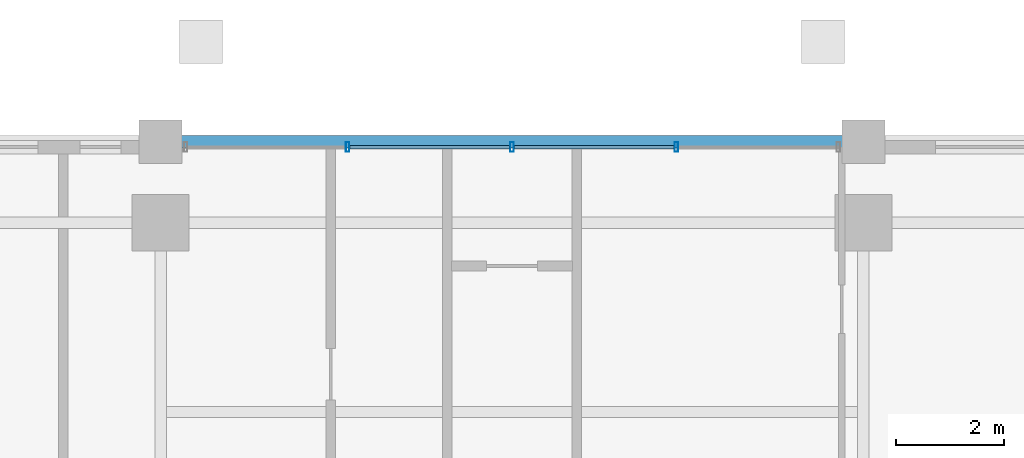
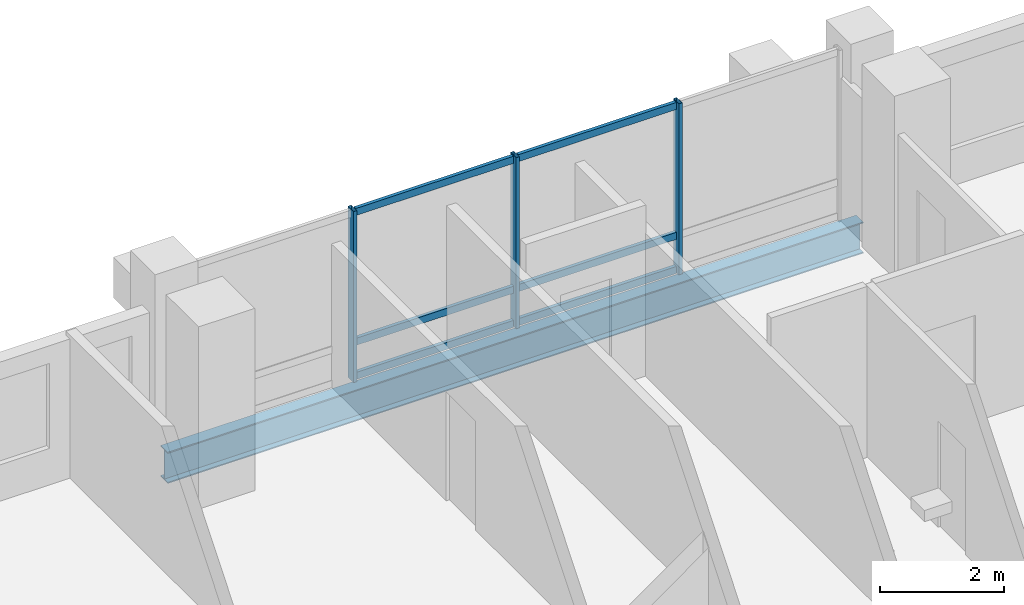
# One storey, part 15 of 24: 9 members, 1 beam, 1 element without a shape of its own.
"""IFC4 building model written with IfcOpenShell, lengths in metres."""

from ifc_helpers import new_model, si_unit, direction, frame, origin, origin_2d, place, context, subcontext, project, spatial, hollow_rectangle, i_section, extrude, material, layer, layer_set, material_profile, profile_set, type_object, element, aggregate, save


model = new_model("IFC4")

# Units and contexts
model_context = context("Model", 3, precision=1e-05, world=origin(), true_north=direction((0.0, 1.0)))
body_context = subcontext(model_context, "Body", "Model", "MODEL_VIEW")
ifc_project = project(units=[si_unit("LENGTHUNIT", "METRE"), si_unit("AREAUNIT", "SQUARE_METRE"), si_unit("VOLUMEUNIT", "CUBIC_METRE"), si_unit("PLANEANGLEUNIT", "RADIAN"), si_unit("MASSUNIT", "GRAM", prefix="KILO")], contexts=[model_context])

# Site, building, storey
site_placement = place(None, origin())
site = spatial("IfcSite", under=ifc_project, at=site_placement, CompositionType="ELEMENT")
building_placement = place(site_placement, origin())
building = spatial("IfcBuilding", under=site, at=building_placement, Name="Barlavira Tower and Art Museum", CompositionType="ELEMENT")
storey_placement = place(building_placement, frame((0.0, 0.0, 180.0)))
storey = spatial("IfcBuildingStorey", under=building, at=storey_placement, Name="L46", CompositionType="ELEMENT", Elevation=180.0)

# Curtain wall, members
ifc_material_1 = material(Name="Low-iron coastal laminated glass", Category="glass")
ifc_layer = layer(ifc_material_1, 0.199951171875, Name="Low-iron coastal laminated glass")
ifc_layer_set = layer_set([ifc_layer], Name="Low-iron coastal laminated glass")
curtain_wall_type = type_object("IfcCurtainWallType", Name="Pale-Metal Unitised Curtain Wall Zone 3", PredefinedType="NOTDEFINED", material=ifc_layer_set)
curtain_wall_placement = place(storey_placement, origin())
curtain_wall = element("IfcCurtainWall", 1, at=curtain_wall_placement, inside=storey, type_object=curtain_wall_type, Name="L46 Curtain Wall CW3-L46-N-B3", PredefinedType="NOTDEFINED")
ifc_material_2 = material(Name="Pale anodised aluminium", Category="aluminium")
ifc_material_profile_1 = material_profile(ifc_material_2, hollow_rectangle(XDim=0.06494140625, YDim=0.179931640625, WallThickness=0.00390625, at=origin_2d()), Name="ALU-MULL 65x180x4")
ifc_profile_set_1 = profile_set([ifc_material_profile_1], Name="Pale anodised aluminium")
member_type_1 = type_object("IfcMemberType", Name="Curtain Wall Pale-Metal Mullion 65x180", PredefinedType="MULLION", material=ifc_profile_set_1)
member_1_placement = place(storey_placement, frame((3.0400390625, 21.39990234375, 0.0), z_axis=(0.0, 0.0, 1.0), x_axis=(-1.0, 0.0, 0.0)))
member_1 = element("IfcMember", 2, at=member_1_placement, type_object=member_type_1, Name="CW3-L46-N-B3 Mullion 1", PredefinedType="MULLION", context=body_context, shape_type="SweptSolid", body=[
    extrude(hollow_rectangle(XDim=0.06494140625, YDim=0.179931640625, WallThickness=0.00390625, at=origin_2d()), origin(), (0.0, 0.0, 1.0), 3.3798828125),
])
member_2_placement = place(storey_placement, frame((0.0, 21.39990234375, 0.0), z_axis=(0.0, 0.0, 1.0), x_axis=(-1.0, 0.0, 0.0)))
member_2 = element("IfcMember", 3, at=member_2_placement, type_object=member_type_1, Name="CW3-L46-N-B3 Mullion 2", PredefinedType="MULLION", context=body_context, shape_type="SweptSolid", body=[
    extrude(hollow_rectangle(XDim=0.06494140625, YDim=0.179931640625, WallThickness=0.00390625, at=origin_2d()), origin(), (0.0, 0.0, 1.0), 3.3798828125),
])
member_3_placement = place(storey_placement, frame((-3.0400390625, 21.39990234375, 0.0), z_axis=(0.0, 0.0, 1.0), x_axis=(-1.0, 0.0, 0.0)))
member_3 = element("IfcMember", 4, at=member_3_placement, type_object=member_type_1, Name="CW3-L46-N-B3 Mullion 3", PredefinedType="MULLION", context=body_context, shape_type="SweptSolid", body=[
    extrude(hollow_rectangle(XDim=0.06494140625, YDim=0.179931640625, WallThickness=0.00390625, at=origin_2d()), origin(), (0.0, 0.0, 1.0), 3.3798828125),
])
ifc_material_profile_2 = material_profile(ifc_material_2, hollow_rectangle(XDim=0.06494140625, YDim=0.139892578125, WallThickness=0.00390625, at=origin_2d()), Name="ALU-TRAN 65x140x4")
ifc_profile_set_2 = profile_set([ifc_material_profile_2], Name="Pale anodised aluminium")
member_type_2 = type_object("IfcMemberType", Name="Curtain Wall Pale-Metal Transom 65x140", PredefinedType="USERDEFINED", material=ifc_profile_set_2)
member_4_placement = place(storey_placement, frame((2.9951171875, 21.39990234375, 0.070068359375), z_axis=(-1.0, 0.0, 0.0), x_axis=(0.0, -1.0, 0.0)))
member_4 = element("IfcMember", 5, at=member_4_placement, type_object=member_type_2, Name="CW3-L46-N-B3 Transom 1.1", ObjectType="TRANSOM", PredefinedType="USERDEFINED", context=body_context, shape_type="SweptSolid", body=[
    extrude(hollow_rectangle(XDim=0.06494140625, YDim=0.139892578125, WallThickness=0.00390625, at=origin_2d()), origin(), (0.0, 0.0, 1.0), 2.9501953125),
])
member_5_placement = place(storey_placement, frame((2.9951171875, 21.39990234375, 0.743896484375), z_axis=(-1.0, 0.0, 0.0), x_axis=(0.0, -1.0, 0.0)))
member_5 = element("IfcMember", 6, at=member_5_placement, type_object=member_type_2, Name="CW3-L46-N-B3 Transom 1.2", ObjectType="TRANSOM", PredefinedType="USERDEFINED", context=body_context, shape_type="SweptSolid", body=[
    extrude(hollow_rectangle(XDim=0.06494140625, YDim=0.139892578125, WallThickness=0.00390625, at=origin_2d()), origin(), (0.0, 0.0, 1.0), 2.9501953125),
])
member_6_placement = place(storey_placement, frame((2.9951171875, 21.39990234375, 3.31005859375), z_axis=(-1.0, 0.0, 0.0), x_axis=(0.0, -1.0, 0.0)))
member_6 = element("IfcMember", 7, at=member_6_placement, type_object=member_type_2, Name="CW3-L46-N-B3 Transom 1.3", ObjectType="TRANSOM", PredefinedType="USERDEFINED", context=body_context, shape_type="SweptSolid", body=[
    extrude(hollow_rectangle(XDim=0.06494140625, YDim=0.139892578125, WallThickness=0.00390625, at=origin_2d()), origin(), (0.0, 0.0, 1.0), 2.9501953125),
])
member_7_placement = place(storey_placement, frame((-0.044921875, 21.39990234375, 0.070068359375), z_axis=(-1.0, 0.0, 0.0), x_axis=(0.0, -1.0, 0.0)))
member_7 = element("IfcMember", 8, at=member_7_placement, type_object=member_type_2, Name="CW3-L46-N-B3 Transom 2.1", ObjectType="TRANSOM", PredefinedType="USERDEFINED", context=body_context, shape_type="SweptSolid", body=[
    extrude(hollow_rectangle(XDim=0.06494140625, YDim=0.139892578125, WallThickness=0.00390625, at=origin_2d()), origin(), (0.0, 0.0, 1.0), 2.9501953125),
])
member_8_placement = place(storey_placement, frame((-0.044921875, 21.39990234375, 0.743896484375), z_axis=(-1.0, 0.0, 0.0), x_axis=(0.0, -1.0, 0.0)))
member_8 = element("IfcMember", 9, at=member_8_placement, type_object=member_type_2, Name="CW3-L46-N-B3 Transom 2.2", ObjectType="TRANSOM", PredefinedType="USERDEFINED", context=body_context, shape_type="SweptSolid", body=[
    extrude(hollow_rectangle(XDim=0.06494140625, YDim=0.139892578125, WallThickness=0.00390625, at=origin_2d()), origin(), (0.0, 0.0, 1.0), 2.9501953125),
])
member_9_placement = place(storey_placement, frame((-0.044921875, 21.39990234375, 3.31005859375), z_axis=(-1.0, 0.0, 0.0), x_axis=(0.0, -1.0, 0.0)))
member_9 = element("IfcMember", 10, at=member_9_placement, type_object=member_type_2, Name="CW3-L46-N-B3 Transom 2.3", ObjectType="TRANSOM", PredefinedType="USERDEFINED", context=body_context, shape_type="SweptSolid", body=[
    extrude(hollow_rectangle(XDim=0.06494140625, YDim=0.139892578125, WallThickness=0.00390625, at=origin_2d()), origin(), (0.0, 0.0, 1.0), 2.9501953125),
])
aggregate(curtain_wall, [member_1, member_2, member_3, member_4, member_5, member_6, member_7, member_8, member_9])

# Beam
ifc_material_3 = material(Name="Steel S355", Category="steel")
ifc_material_profile_3 = material_profile(ifc_material_3, i_section(OverallWidth=0.22998046875, OverallDepth=0.616943359375, WebThickness=0.01318359375, FlangeThickness=0.022216796875, at=origin_2d()), Name="W610x140.0")
ifc_profile_set_3 = profile_set([ifc_material_profile_3], Name="Steel S355")
beam_type = type_object("IfcBeamType", Name="Upper Shaft Spandrel Edge Beam W610x140 Steel S355", PredefinedType="SPANDREL", material=ifc_profile_set_3)
beam_placement = place(storey_placement, frame((-6.5, 21.5, -0.528564453125), z_axis=(1.0, 0.0, 0.0), x_axis=(0.0, 1.0, 0.0)))
element("IfcBeam", 11, at=beam_placement, inside=storey, type_object=beam_type, Name="L46 Spandrel 10", PredefinedType="SPANDREL", context=body_context, shape_type="SweptSolid", body=[
    extrude(i_section(OverallWidth=0.22998046875, OverallDepth=0.616943359375, WebThickness=0.01318359375, FlangeThickness=0.022216796875, at=origin_2d()), origin(), (0.0, 0.0, 1.0), 13.0),
])

save(model, "model.ifc")
